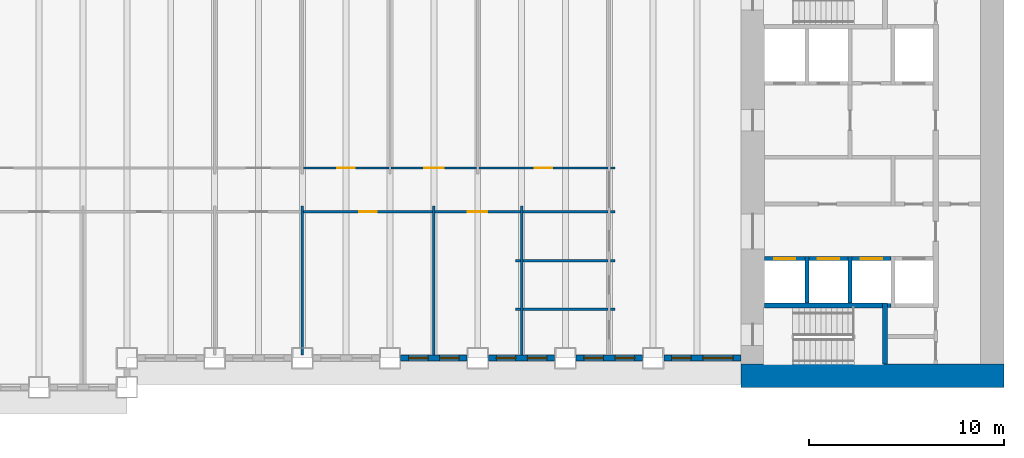
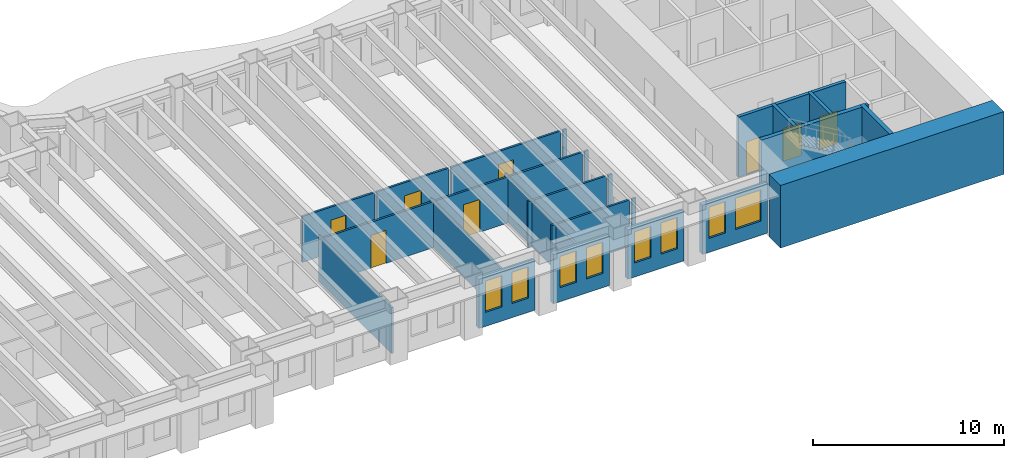
# One storey, part 5 of 16: 30 walls, 8 doors, 8 windows, 16 openings.
"""IFC4 building model written with IfcOpenShell, lengths in metres."""

from ifc_helpers import new_model, si_unit, direction, frame, frame_2d, origin, place, context, subcontext, project, spatial, rectangle, extrude, material, layer, layer_set, type_object, element, fill, save


model = new_model("IFC4")

# Units and contexts
model_context = context("Model", 3, precision=1e-05, world=origin(), true_north=direction((0.0, 1.0)))
body_context = subcontext(model_context, "Body", "Model", "MODEL_VIEW")
ifc_project = project(units=[si_unit("LENGTHUNIT", "METRE"), si_unit("AREAUNIT", "SQUARE_METRE"), si_unit("VOLUMEUNIT", "CUBIC_METRE"), si_unit("PLANEANGLEUNIT", "RADIAN"), si_unit("MASSUNIT", "GRAM", prefix="KILO")], contexts=[model_context])

# Site, building, storey
site_placement = place(None, origin())
site = spatial("IfcSite", under=ifc_project, at=site_placement, CompositionType="ELEMENT")
building_placement = place(site_placement, origin())
building = spatial("IfcBuilding", under=site, at=building_placement, Name="Sennacour Bend Tower", CompositionType="ELEMENT")
storey_placement = place(building_placement, frame((0.0, 0.0, 69.0)))
storey = spatial("IfcBuildingStorey", under=building, at=storey_placement, Name="L15", CompositionType="ELEMENT", Elevation=69.0)

# Walls
ifc_material_1 = material(Name="Concrete C80/95", Category="concrete")
ifc_layer_1 = layer(ifc_material_1, 1.199951171875, Name="Concrete C80/95", Category="concrete")
ifc_layer_set_1 = layer_set([ifc_layer_1], Name="Concrete C80/95")
wall_type_1 = type_object("IfcWallType", Name="Core wall 1200 C80/95", PredefinedType="SHEAR", material=ifc_layer_set_1)
wall_1_placement = place(storey_placement, frame((67.5, 0.60009765625, -0.14990234375), z_axis=(0.0, 0.0, 1.0), x_axis=(-1.0, 0.0, 0.0)))
element("IfcWall", 1, at=wall_1_placement, inside=storey, type_object=wall_type_1, Name="Core A wall L15 S", PredefinedType="SHEAR", context=body_context, shape_type="SweptSolid", body=[
    extrude(rectangle(XDim=13.5, YDim=1.199951171875, at=frame_2d((6.75, 0.0))), origin(), (0.0, 0.0, 1.0), 4.0),
])
ifc_material_2 = material(Name="Plasterboard partition on steel studs", Category="steel")
ifc_layer_2 = layer(ifc_material_2, 0.1201171875, Name="Plasterboard partition on steel studs", Category="steel")
ifc_layer_set_2 = layer_set([ifc_layer_2], Name="Plasterboard partition on steel studs")
wall_type_2 = type_object("IfcWallType", Name="Partition 120", PredefinedType="PARTITIONING", material=ifc_layer_set_2)
for number, where, z_axis, x_axis, name in (
    (2, (31.5, 1.64990234375, 0.0), (0.0, 0.0, 1.0), (0.0, 1.0, 0.0), "P-L15-W028a"),
    (3, (38.25, 1.64990234375, 0.0), (0.0, 0.0, 1.0), (0.0, 1.0, 0.0), "P-L15-W031a"),
    (4, (42.75, 1.64990234375, 0.0), (0.0, 0.0, 1.0), (0.0, 1.0, 0.0), "P-L15-W033a"),
):
    element("IfcWall", number, at=place(storey_placement, frame(where, z_axis=z_axis, x_axis=x_axis)), inside=storey, type_object=wall_type_2, Name=name, PredefinedType="PARTITIONING", context=body_context, shape_type="SweptSolid", body=[
        extrude(rectangle(XDim=7.650146484375, YDim=0.1201171875, at=frame_2d((3.8251953125, 0.0))), origin(), (0.0, 0.0, 1.0), 2.93798828125),
    ])
wall_2_placement = place(storey_placement, frame((42.449951171875, 4.0, 0.0), z_axis=(0.0, 0.0, 1.0), x_axis=(1.0, 0.0, 0.0)))
element("IfcWall", 5, at=wall_2_placement, inside=storey, type_object=wall_type_2, Name="P-L15-W056aa", PredefinedType="PARTITIONING", context=body_context, shape_type="SweptSolid", body=[
    extrude(rectangle(XDim=0.239990234375, YDim=0.1201171875, at=frame_2d((0.1201171875, 0.0))), origin(), (0.0, 0.0, 1.0), 2.93798828125),
])
wall_3_placement = place(storey_placement, frame((42.81005859375, 4.0, 0.0), z_axis=(0.0, 0.0, 1.0), x_axis=(1.0, 0.0, 0.0)))
element("IfcWall", 6, at=wall_3_placement, inside=storey, type_object=wall_type_2, Name="P-L15-W056ab", PredefinedType="PARTITIONING", context=body_context, shape_type="SweptSolid", body=[
    extrude(rectangle(XDim=4.3798828125, YDim=0.1201171875, at=frame_2d((2.18994140625, 0.0))), origin(), (0.0, 0.0, 1.0), 2.93798828125),
])
for number, where, z_axis, x_axis, name in (
    (7, (47.31005859375, 4.0, 0.0), (0.0, 0.0, 1.0), (1.0, 0.0, 0.0), "P-L15-W056ac"),
    (8, (42.449951171875, 6.5, 0.0), (0.0, 0.0, 1.0), (1.0, 0.0, 0.0), "P-L15-W059aa"),
):
    element("IfcWall", number, at=place(storey_placement, frame(where, z_axis=z_axis, x_axis=x_axis)), inside=storey, type_object=wall_type_2, Name=name, PredefinedType="PARTITIONING", context=body_context, shape_type="SweptSolid", body=[
        extrude(rectangle(XDim=0.239990234375, YDim=0.1201171875, at=frame_2d((0.1201171875, 0.0))), origin(), (0.0, 0.0, 1.0), 2.93798828125),
    ])
wall_4_placement = place(storey_placement, frame((42.81005859375, 6.5, 0.0), z_axis=(0.0, 0.0, 1.0), x_axis=(1.0, 0.0, 0.0)))
element("IfcWall", 9, at=wall_4_placement, inside=storey, type_object=wall_type_2, Name="P-L15-W059ab", PredefinedType="PARTITIONING", context=body_context, shape_type="SweptSolid", body=[
    extrude(rectangle(XDim=4.3798828125, YDim=0.1201171875, at=frame_2d((2.18994140625, 0.0))), origin(), (0.0, 0.0, 1.0), 2.93798828125),
])
wall_5_placement = place(storey_placement, frame((47.31005859375, 6.5, 0.0), z_axis=(0.0, 0.0, 1.0), x_axis=(1.0, 0.0, 0.0)))
element("IfcWall", 10, at=wall_5_placement, inside=storey, type_object=wall_type_2, Name="P-L15-W059ac", PredefinedType="PARTITIONING", context=body_context, shape_type="SweptSolid", body=[
    extrude(rectangle(XDim=0.239990234375, YDim=0.1201171875, at=frame_2d((0.1201171875, 0.0))), origin(), (0.0, 0.0, 1.0), 2.93798828125),
])

# Wall, opening, door
wall_6_placement = place(storey_placement, frame((38.31005859375, 9.0, 0.0), z_axis=(0.0, 0.0, 1.0), x_axis=(1.0, 0.0, 0.0)))
wall_6 = element("IfcWall", 11, at=wall_6_placement, inside=storey, type_object=wall_type_2, Name="P-L15-W061ag", PredefinedType="PARTITIONING", context=body_context, shape_type="SweptSolid", body=[
    extrude(rectangle(XDim=4.3798828125, YDim=0.1201171875, at=frame_2d((2.18994140625, 0.0))), origin(), (0.0, 0.0, 1.0), 2.93798828125),
])
opening_1_placement = place(wall_6_placement, frame((1.68994140625, 0.0, 0.0)))
opening_1 = element("IfcOpeningElement", 12, at=opening_1_placement, cuts=wall_6, Name="Opening OD2", PredefinedType="OPENING", context=body_context, shape_type="SweptSolid", body=[
    extrude(rectangle(XDim=1.0, YDim=2.10009765625, at=frame_2d((0.5, 1.050048828125))), frame((0.0, 0.070068359375, 0.0), z_axis=(0.0, -1.0, 0.0), x_axis=(1.0, 0.0, 0.0)), (0.0, 0.0, 1.0), 0.14013671875),
])
ifc_material_3 = material(Name="Timber", Category="wood")
door_type_1 = type_object("IfcDoorType", Name="DR-OFFICE-1000", OperationType="NOTDEFINED", PredefinedType="DOOR", material=ifc_material_3)
door_1_placement = place(opening_1_placement, origin())
door_1 = element("IfcDoor", 13, at=door_1_placement, inside=storey, type_object=door_type_1, Name="Door", OperationType="SINGLE_SWING_LEFT", OverallHeight=2.10009765625, OverallWidth=1.0, PredefinedType="DOOR", context=body_context, shape_type="SweptSolid", body=[
    extrude(rectangle(XDim=1.0, YDim=2.10009765625, at=frame_2d((0.5, 1.050048828125))), frame((0.0, 0.02490234375, 0.0), z_axis=(0.0, -1.0, 0.0), x_axis=(1.0, 0.0, 0.0)), (0.0, 0.0, 1.0), 0.050048828125),
])
fill(opening_1, door_1)

# Walls
wall_7_placement = place(storey_placement, frame((42.81005859375, 9.0, 0.0), z_axis=(0.0, 0.0, 1.0), x_axis=(1.0, 0.0, 0.0)))
element("IfcWall", 14, at=wall_7_placement, inside=storey, type_object=wall_type_2, Name="P-L15-W061ah", PredefinedType="PARTITIONING", context=body_context, shape_type="SweptSolid", body=[
    extrude(rectangle(XDim=4.3798828125, YDim=0.1201171875, at=frame_2d((2.18994140625, 0.0))), origin(), (0.0, 0.0, 1.0), 2.93798828125),
])
wall_8_placement = place(storey_placement, frame((47.31005859375, 9.0, 0.0), z_axis=(0.0, 0.0, 1.0), x_axis=(1.0, 0.0, 0.0)))
element("IfcWall", 15, at=wall_8_placement, inside=storey, type_object=wall_type_2, Name="P-L15-W061ai", PredefinedType="PARTITIONING", context=body_context, shape_type="SweptSolid", body=[
    extrude(rectangle(XDim=0.239990234375, YDim=0.1201171875, at=frame_2d((0.1201171875, 0.0))), origin(), (0.0, 0.0, 1.0), 2.93798828125),
])

# Wall, opening, door
wall_9_placement = place(storey_placement, frame((36.06005859375, 11.25, 0.0), z_axis=(0.0, 0.0, 1.0), x_axis=(1.0, 0.0, 0.0)))
wall_9 = element("IfcWall", 16, at=wall_9_placement, inside=storey, type_object=wall_type_2, Name="P-L15-W063af", PredefinedType="PARTITIONING", context=body_context, shape_type="SweptSolid", body=[
    extrude(rectangle(XDim=4.3798828125, YDim=0.1201171875, at=frame_2d((2.18994140625, 0.0))), origin(), (0.0, 0.0, 1.0), 2.93798828125),
])
opening_2_placement = place(wall_9_placement, frame((1.68994140625, 0.0, 0.0)))
opening_2 = element("IfcOpeningElement", 17, at=opening_2_placement, cuts=wall_9, Name="Opening OD2", PredefinedType="OPENING", context=body_context, shape_type="SweptSolid", body=[
    extrude(rectangle(XDim=1.0, YDim=2.10009765625, at=frame_2d((0.5, 1.050048828125))), frame((0.0, 0.070068359375, 0.0), z_axis=(0.0, -1.0, 0.0), x_axis=(1.0, 0.0, 0.0)), (0.0, 0.0, 1.0), 0.14013671875),
])
door_2_placement = place(opening_2_placement, origin())
door_2 = element("IfcDoor", 18, at=door_2_placement, inside=storey, type_object=door_type_1, Name="Door", OperationType="SINGLE_SWING_LEFT", OverallHeight=2.10009765625, OverallWidth=1.0, PredefinedType="DOOR", context=body_context, shape_type="SweptSolid", body=[
    extrude(rectangle(XDim=1.0, YDim=2.10009765625, at=frame_2d((0.5, 1.050048828125))), frame((0.0, 0.02490234375, 0.0), z_axis=(0.0, -1.0, 0.0), x_axis=(1.0, 0.0, 0.0)), (0.0, 0.0, 1.0), 0.050048828125),
])
fill(opening_2, door_2)

# Wall
wall_10_placement = place(storey_placement, frame((47.31005859375, 11.25, 0.0), z_axis=(0.0, 0.0, 1.0), x_axis=(1.0, 0.0, 0.0)))
element("IfcWall", 19, at=wall_10_placement, inside=storey, type_object=wall_type_2, Name="P-L15-W063ah", PredefinedType="PARTITIONING", context=body_context, shape_type="SweptSolid", body=[
    extrude(rectangle(XDim=0.239990234375, YDim=0.1201171875, at=frame_2d((0.1201171875, 0.0))), origin(), (0.0, 0.0, 1.0), 2.93798828125),
])

# Wall, opening, door
ifc_layer_3 = layer(ifc_material_2, 0.1201171875, Name="Plasterboard partition on steel studs", Category="steel")
ifc_layer_set_3 = layer_set([ifc_layer_3], Name="Plasterboard partition on steel studs")
wall_type_3 = type_object("IfcWallType", Name="Partition 120 EI 60", PredefinedType="PARTITIONING", material=ifc_layer_set_3)
wall_11_placement = place(storey_placement, frame((31.56005859375, 9.0, 0.0), z_axis=(0.0, 0.0, 1.0), x_axis=(1.0, 0.0, 0.0)))
wall_11 = element("IfcWall", 20, at=wall_11_placement, inside=storey, type_object=wall_type_3, Name="P-L15-W061af", PredefinedType="PARTITIONING", context=body_context, shape_type="SweptSolid", body=[
    extrude(rectangle(XDim=6.6298828125, YDim=0.1201171875, at=frame_2d((3.31494140625, 0.0))), origin(), (0.0, 0.0, 1.0), 2.93798828125),
])
opening_3_placement = place(wall_11_placement, frame((2.864990234375, 0.0, 0.0)))
opening_3 = element("IfcOpeningElement", 21, at=opening_3_placement, cuts=wall_11, Name="Opening SV", PredefinedType="OPENING", context=body_context, shape_type="SweptSolid", body=[
    extrude(rectangle(XDim=0.89990234375, YDim=2.10009765625, at=frame_2d((0.449951171875, 1.050048828125))), frame((0.0, 0.070068359375, 0.0), z_axis=(0.0, -1.0, 0.0), x_axis=(1.0, 0.0, 0.0)), (0.0, 0.0, 1.0), 0.14013671875),
])
ifc_material_4 = material(Name="Painted steel", Category="steel")
door_type_2 = type_object("IfcDoorType", Name="DR-SERVICE-900", OperationType="NOTDEFINED", PredefinedType="DOOR", material=ifc_material_4)
door_3_placement = place(opening_3_placement, origin())
door_3 = element("IfcDoor", 22, at=door_3_placement, inside=storey, type_object=door_type_2, Name="Door", OperationType="SINGLE_SWING_LEFT", OverallHeight=2.10009765625, OverallWidth=0.89990234375, PredefinedType="DOOR", context=body_context, shape_type="SweptSolid", body=[
    extrude(rectangle(XDim=0.89990234375, YDim=2.10009765625, at=frame_2d((0.449951171875, 1.050048828125))), frame((0.0, 0.02490234375, 0.0), z_axis=(0.0, -1.0, 0.0), x_axis=(1.0, 0.0, 0.0)), (0.0, 0.0, 1.0), 0.050048828125),
])
fill(opening_3, door_3)

wall_12_placement = place(storey_placement, frame((31.56005859375, 11.25, 0.0), z_axis=(0.0, 0.0, 1.0), x_axis=(1.0, 0.0, 0.0)))
wall_12 = element("IfcWall", 23, at=wall_12_placement, inside=storey, type_object=wall_type_3, Name="P-L15-W063ae", PredefinedType="PARTITIONING", context=body_context, shape_type="SweptSolid", body=[
    extrude(rectangle(XDim=4.3798828125, YDim=0.1201171875, at=frame_2d((2.18994140625, 0.0))), origin(), (0.0, 0.0, 1.0), 2.93798828125),
])
opening_4_placement = place(wall_12_placement, frame((1.739990234375, 0.0, 0.0)))
opening_4 = element("IfcOpeningElement", 24, at=opening_4_placement, cuts=wall_12, Name="Opening SV", PredefinedType="OPENING", context=body_context, shape_type="SweptSolid", body=[
    extrude(rectangle(XDim=0.89990234375, YDim=2.10009765625, at=frame_2d((0.449951171875, 1.050048828125))), frame((0.0, 0.070068359375, 0.0), z_axis=(0.0, -1.0, 0.0), x_axis=(1.0, 0.0, 0.0)), (0.0, 0.0, 1.0), 0.14013671875),
])
door_4_placement = place(opening_4_placement, origin())
door_4 = element("IfcDoor", 25, at=door_4_placement, inside=storey, type_object=door_type_2, Name="Door", OperationType="SINGLE_SWING_LEFT", OverallHeight=2.10009765625, OverallWidth=0.89990234375, PredefinedType="DOOR", context=body_context, shape_type="SweptSolid", body=[
    extrude(rectangle(XDim=0.89990234375, YDim=2.10009765625, at=frame_2d((0.449951171875, 1.050048828125))), frame((0.0, 0.02490234375, 0.0), z_axis=(0.0, -1.0, 0.0), x_axis=(1.0, 0.0, 0.0)), (0.0, 0.0, 1.0), 0.050048828125),
])
fill(opening_4, door_4)

wall_13_placement = place(storey_placement, frame((40.56005859375, 11.25, 0.0), z_axis=(0.0, 0.0, 1.0), x_axis=(1.0, 0.0, 0.0)))
wall_13 = element("IfcWall", 26, at=wall_13_placement, inside=storey, type_object=wall_type_3, Name="P-L15-W063ag", PredefinedType="PARTITIONING", context=body_context, shape_type="SweptSolid", body=[
    extrude(rectangle(XDim=6.6298828125, YDim=0.1201171875, at=frame_2d((3.31494140625, 0.0))), origin(), (0.0, 0.0, 1.0), 2.93798828125),
])
opening_5_placement = place(wall_13_placement, frame((2.864990234375, 0.0, 0.0)))
opening_5 = element("IfcOpeningElement", 27, at=opening_5_placement, cuts=wall_13, Name="Opening SV", PredefinedType="OPENING", context=body_context, shape_type="SweptSolid", body=[
    extrude(rectangle(XDim=0.89990234375, YDim=2.10009765625, at=frame_2d((0.449951171875, 1.050048828125))), frame((0.0, 0.070068359375, 0.0), z_axis=(0.0, -1.0, 0.0), x_axis=(1.0, 0.0, 0.0)), (0.0, 0.0, 1.0), 0.14013671875),
])
door_5_placement = place(opening_5_placement, origin())
door_5 = element("IfcDoor", 28, at=door_5_placement, inside=storey, type_object=door_type_2, Name="Door", OperationType="SINGLE_SWING_LEFT", OverallHeight=2.10009765625, OverallWidth=0.89990234375, PredefinedType="DOOR", context=body_context, shape_type="SweptSolid", body=[
    extrude(rectangle(XDim=0.89990234375, YDim=2.10009765625, at=frame_2d((0.449951171875, 1.050048828125))), frame((0.0, 0.02490234375, 0.0), z_axis=(0.0, -1.0, 0.0), x_axis=(1.0, 0.0, 0.0)), (0.0, 0.0, 1.0), 0.050048828125),
])
fill(opening_5, door_5)

# Wall, openings, windows
ifc_material_5 = material(Name="Warm limestone cladding", Category="masonry")
ifc_layer_4 = layer(ifc_material_5, 0.050048828125, Name="Warm limestone cladding", Category="masonry")
ifc_material_6 = material(Name="Precast concrete C40/50", Category="concrete")
ifc_layer_5 = layer(ifc_material_6, 0.25, Name="Precast concrete C40/50", Category="concrete")
ifc_layer_set_4 = layer_set([ifc_layer_4, ifc_layer_5], Name="Precast concrete C40/50 with limestone cladding")
wall_type_4 = type_object("IfcWallType", Name="STONE-CLAD PRECAST SPANDREL 300", PredefinedType="STANDARD", material=ifc_layer_set_4)
wall_14_placement = place(storey_placement, frame((36.550048828125, 1.5, 0.0), z_axis=(0.0, 0.0, 1.0), x_axis=(1.0, 0.0, 0.0)))
wall_14 = element("IfcWall", 29, at=wall_14_placement, inside=storey, type_object=wall_type_4, Name="Stone spandrel and pier wall L15 02.03", PredefinedType="STANDARD", context=body_context, shape_type="SweptSolid", body=[
    extrude(rectangle(XDim=3.39990234375, YDim=0.300048828125, at=frame_2d((1.699951171875, 0.0))), origin(), (0.0, 0.0, 1.0), 3.14404296875),
])
opening_6_placement = place(wall_14_placement, frame((0.39990234375, 0.0, 0.89990234375)))
opening_6 = element("IfcOpeningElement", 30, at=opening_6_placement, cuts=wall_14, Name="Opening W8", PredefinedType="OPENING", context=body_context, shape_type="SweptSolid", body=[
    extrude(rectangle(XDim=1.0, YDim=2.0, at=frame_2d((0.5, 1.0))), frame((0.0, 0.16015625, 0.0), z_axis=(0.0, -1.0, 0.0), x_axis=(1.0, 0.0, 0.0)), (0.0, 0.0, 1.0), 0.320068359375),
])
opening_7_placement = place(wall_14_placement, frame((2.0, 0.0, 0.89990234375)))
opening_7 = element("IfcOpeningElement", 31, at=opening_7_placement, cuts=wall_14, Name="Opening W8", PredefinedType="OPENING", context=body_context, shape_type="SweptSolid", body=[
    extrude(rectangle(XDim=1.0, YDim=2.0, at=frame_2d((0.5, 1.0))), frame((0.0, 0.16015625, 0.0), z_axis=(0.0, -1.0, 0.0), x_axis=(1.0, 0.0, 0.0)), (0.0, 0.0, 1.0), 0.320068359375),
])
ifc_material_7 = material(Name="Clear low-emissivity glass", Category="glass")
window_type_1 = type_object("IfcWindowType", Name="WIN-RIBBON-1000x2000", PartitioningType="SINGLE_PANEL", PredefinedType="WINDOW", material=ifc_material_7)
window_1_placement = place(opening_6_placement, origin())
window_1 = element("IfcWindow", 32, at=window_1_placement, inside=storey, type_object=window_type_1, Name="Ribbon window L15 02.03.0", OverallHeight=2.0, OverallWidth=1.0, PartitioningType="SINGLE_PANEL", PredefinedType="WINDOW", context=body_context, shape_type="SweptSolid", body=[
    extrude(rectangle(XDim=1.0, YDim=2.0, at=frame_2d((0.5, 1.0))), frame((0.0, 0.030029296875, 0.0), z_axis=(0.0, -1.0, 0.0), x_axis=(1.0, 0.0, 0.0)), (0.0, 0.0, 1.0), 0.06005859375),
])
fill(opening_6, window_1)
window_2_placement = place(opening_7_placement, origin())
window_2 = element("IfcWindow", 33, at=window_2_placement, inside=storey, type_object=window_type_1, Name="Ribbon window L15 02.03.1", OverallHeight=2.0, OverallWidth=1.0, PartitioningType="SINGLE_PANEL", PredefinedType="WINDOW", context=body_context, shape_type="SweptSolid", body=[
    extrude(rectangle(XDim=1.0, YDim=2.0, at=frame_2d((0.5, 1.0))), frame((0.0, 0.030029296875, 0.0), z_axis=(0.0, -1.0, 0.0), x_axis=(1.0, 0.0, 0.0)), (0.0, 0.0, 1.0), 0.06005859375),
])
fill(opening_7, window_2)

wall_15_placement = place(storey_placement, frame((41.050048828125, 1.5, 0.0), z_axis=(0.0, 0.0, 1.0), x_axis=(1.0, 0.0, 0.0)))
wall_15 = element("IfcWall", 34, at=wall_15_placement, inside=storey, type_object=wall_type_4, Name="Stone spandrel and pier wall L15 02.04", PredefinedType="STANDARD", context=body_context, shape_type="SweptSolid", body=[
    extrude(rectangle(XDim=3.39990234375, YDim=0.300048828125, at=frame_2d((1.699951171875, 0.0))), origin(), (0.0, 0.0, 1.0), 3.14404296875),
])
opening_8_placement = place(wall_15_placement, frame((0.39990234375, 0.0, 0.89990234375)))
opening_8 = element("IfcOpeningElement", 35, at=opening_8_placement, cuts=wall_15, Name="Opening W8", PredefinedType="OPENING", context=body_context, shape_type="SweptSolid", body=[
    extrude(rectangle(XDim=1.0, YDim=2.0, at=frame_2d((0.5, 1.0))), frame((0.0, 0.16015625, 0.0), z_axis=(0.0, -1.0, 0.0), x_axis=(1.0, 0.0, 0.0)), (0.0, 0.0, 1.0), 0.320068359375),
])
opening_9_placement = place(wall_15_placement, frame((2.0, 0.0, 0.89990234375)))
opening_9 = element("IfcOpeningElement", 36, at=opening_9_placement, cuts=wall_15, Name="Opening W8", PredefinedType="OPENING", context=body_context, shape_type="SweptSolid", body=[
    extrude(rectangle(XDim=1.0, YDim=2.0, at=frame_2d((0.5, 1.0))), frame((0.0, 0.16015625, 0.0), z_axis=(0.0, -1.0, 0.0), x_axis=(1.0, 0.0, 0.0)), (0.0, 0.0, 1.0), 0.320068359375),
])
window_3_placement = place(opening_8_placement, origin())
window_3 = element("IfcWindow", 37, at=window_3_placement, inside=storey, type_object=window_type_1, Name="Ribbon window L15 02.04.0", OverallHeight=2.0, OverallWidth=1.0, PartitioningType="SINGLE_PANEL", PredefinedType="WINDOW", context=body_context, shape_type="SweptSolid", body=[
    extrude(rectangle(XDim=1.0, YDim=2.0, at=frame_2d((0.5, 1.0))), frame((0.0, 0.030029296875, 0.0), z_axis=(0.0, -1.0, 0.0), x_axis=(1.0, 0.0, 0.0)), (0.0, 0.0, 1.0), 0.06005859375),
])
fill(opening_8, window_3)
window_4_placement = place(opening_9_placement, origin())
window_4 = element("IfcWindow", 38, at=window_4_placement, inside=storey, type_object=window_type_1, Name="Ribbon window L15 02.04.1", OverallHeight=2.0, OverallWidth=1.0, PartitioningType="SINGLE_PANEL", PredefinedType="WINDOW", context=body_context, shape_type="SweptSolid", body=[
    extrude(rectangle(XDim=1.0, YDim=2.0, at=frame_2d((0.5, 1.0))), frame((0.0, 0.030029296875, 0.0), z_axis=(0.0, -1.0, 0.0), x_axis=(1.0, 0.0, 0.0)), (0.0, 0.0, 1.0), 0.06005859375),
])
fill(opening_9, window_4)

wall_16_placement = place(storey_placement, frame((45.550048828125, 1.5, 0.0), z_axis=(0.0, 0.0, 1.0), x_axis=(1.0, 0.0, 0.0)))
wall_16 = element("IfcWall", 39, at=wall_16_placement, inside=storey, type_object=wall_type_4, Name="Stone spandrel and pier wall L15 02.05", PredefinedType="STANDARD", context=body_context, shape_type="SweptSolid", body=[
    extrude(rectangle(XDim=3.39990234375, YDim=0.300048828125, at=frame_2d((1.699951171875, 0.0))), origin(), (0.0, 0.0, 1.0), 3.14404296875),
])
opening_10_placement = place(wall_16_placement, frame((0.39990234375, 0.0, 0.89990234375)))
opening_10 = element("IfcOpeningElement", 40, at=opening_10_placement, cuts=wall_16, Name="Opening W8", PredefinedType="OPENING", context=body_context, shape_type="SweptSolid", body=[
    extrude(rectangle(XDim=1.0, YDim=2.0, at=frame_2d((0.5, 1.0))), frame((0.0, 0.16015625, 0.0), z_axis=(0.0, -1.0, 0.0), x_axis=(1.0, 0.0, 0.0)), (0.0, 0.0, 1.0), 0.320068359375),
])
opening_11_placement = place(wall_16_placement, frame((2.0, 0.0, 0.89990234375)))
opening_11 = element("IfcOpeningElement", 41, at=opening_11_placement, cuts=wall_16, Name="Opening W8", PredefinedType="OPENING", context=body_context, shape_type="SweptSolid", body=[
    extrude(rectangle(XDim=1.0, YDim=2.0, at=frame_2d((0.5, 1.0))), frame((0.0, 0.16015625, 0.0), z_axis=(0.0, -1.0, 0.0), x_axis=(1.0, 0.0, 0.0)), (0.0, 0.0, 1.0), 0.320068359375),
])
window_5_placement = place(opening_10_placement, origin())
window_5 = element("IfcWindow", 42, at=window_5_placement, inside=storey, type_object=window_type_1, Name="Ribbon window L15 02.05.0", OverallHeight=2.0, OverallWidth=1.0, PartitioningType="SINGLE_PANEL", PredefinedType="WINDOW", context=body_context, shape_type="SweptSolid", body=[
    extrude(rectangle(XDim=1.0, YDim=2.0, at=frame_2d((0.5, 1.0))), frame((0.0, 0.030029296875, 0.0), z_axis=(0.0, -1.0, 0.0), x_axis=(1.0, 0.0, 0.0)), (0.0, 0.0, 1.0), 0.06005859375),
])
fill(opening_10, window_5)
window_6_placement = place(opening_11_placement, origin())
window_6 = element("IfcWindow", 43, at=window_6_placement, inside=storey, type_object=window_type_1, Name="Ribbon window L15 02.05.1", OverallHeight=2.0, OverallWidth=1.0, PartitioningType="SINGLE_PANEL", PredefinedType="WINDOW", context=body_context, shape_type="SweptSolid", body=[
    extrude(rectangle(XDim=1.0, YDim=2.0, at=frame_2d((0.5, 1.0))), frame((0.0, 0.030029296875, 0.0), z_axis=(0.0, -1.0, 0.0), x_axis=(1.0, 0.0, 0.0)), (0.0, 0.0, 1.0), 0.06005859375),
])
fill(opening_11, window_6)

wall_17_placement = place(storey_placement, frame((50.050048828125, 1.5, 0.0), z_axis=(0.0, 0.0, 1.0), x_axis=(1.0, 0.0, 0.0)))
wall_17 = element("IfcWall", 44, at=wall_17_placement, inside=storey, type_object=wall_type_4, Name="Stone spandrel and pier wall L15 02.06", PredefinedType="STANDARD", context=body_context, shape_type="SweptSolid", body=[
    extrude(rectangle(XDim=3.949951171875, YDim=0.300048828125, at=frame_2d((1.97509765625, 0.0))), origin(), (0.0, 0.0, 1.0), 3.14404296875),
])
opening_12_placement = place(wall_17_placement, frame((0.39990234375, 0.0, 0.89990234375)))
opening_12 = element("IfcOpeningElement", 45, at=opening_12_placement, cuts=wall_17, Name="Opening W8", PredefinedType="OPENING", context=body_context, shape_type="SweptSolid", body=[
    extrude(rectangle(XDim=1.0, YDim=2.0, at=frame_2d((0.5, 1.0))), frame((0.0, 0.16015625, 0.0), z_axis=(0.0, -1.0, 0.0), x_axis=(1.0, 0.0, 0.0)), (0.0, 0.0, 1.0), 0.320068359375),
])
opening_13_placement = place(wall_17_placement, frame((2.0, 0.0, 0.89990234375)))
opening_13 = element("IfcOpeningElement", 46, at=opening_13_placement, cuts=wall_17, Name="Opening W9", PredefinedType="OPENING", context=body_context, shape_type="SweptSolid", body=[
    extrude(rectangle(XDim=1.550048828125, YDim=2.0, at=frame_2d((0.77490234375, 1.0))), frame((0.0, 0.16015625, 0.0), z_axis=(0.0, -1.0, 0.0), x_axis=(1.0, 0.0, 0.0)), (0.0, 0.0, 1.0), 0.320068359375),
])
window_7_placement = place(opening_12_placement, origin())
window_7 = element("IfcWindow", 47, at=window_7_placement, inside=storey, type_object=window_type_1, Name="Ribbon window L15 02.06.0", OverallHeight=2.0, OverallWidth=1.0, PartitioningType="SINGLE_PANEL", PredefinedType="WINDOW", context=body_context, shape_type="SweptSolid", body=[
    extrude(rectangle(XDim=1.0, YDim=2.0, at=frame_2d((0.5, 1.0))), frame((0.0, 0.030029296875, 0.0), z_axis=(0.0, -1.0, 0.0), x_axis=(1.0, 0.0, 0.0)), (0.0, 0.0, 1.0), 0.06005859375),
])
fill(opening_12, window_7)
window_type_2 = type_object("IfcWindowType", Name="WIN-RIBBON-1550x2000", PartitioningType="SINGLE_PANEL", PredefinedType="WINDOW", material=ifc_material_7)
window_8_placement = place(opening_13_placement, origin())
window_8 = element("IfcWindow", 48, at=window_8_placement, inside=storey, type_object=window_type_2, Name="Ribbon window L15 02.06.1", OverallHeight=2.0, OverallWidth=1.550048828125, PartitioningType="SINGLE_PANEL", PredefinedType="WINDOW", context=body_context, shape_type="SweptSolid", body=[
    extrude(rectangle(XDim=1.550048828125, YDim=2.0, at=frame_2d((0.77490234375, 1.0))), frame((0.0, 0.030029296875, 0.0), z_axis=(0.0, -1.0, 0.0), x_axis=(1.0, 0.0, 0.0)), (0.0, 0.0, 1.0), 0.06005859375),
])
fill(opening_13, window_8)

# Walls
ifc_material_8 = material(Name="Concrete C50/60", Category="concrete")
ifc_layer_6 = layer(ifc_material_8, 0.199951171875, Name="Concrete C50/60", Category="concrete")
ifc_layer_set_5 = layer_set([ifc_layer_6], Name="Concrete C50/60")
wall_type_5 = type_object("IfcWallType", Name="Shaft wall 200", PredefinedType="SOLIDWALL", material=ifc_layer_set_5)
for number, where, z_axis, x_axis, name in (
    (49, (57.39990234375, 4.324951171875, 0.0), (0.0, 0.0, 1.0), (0.0, 1.0, 0.0), "P-L15-W036"),
    (50, (59.60009765625, 4.324951171875, 0.0), (0.0, 0.0, 1.0), (0.0, 1.0, 0.0), "P-L15-W038"),
):
    element("IfcWall", number, at=place(storey_placement, frame(where, z_axis=z_axis, x_axis=x_axis)), inside=storey, type_object=wall_type_5, Name=name, PredefinedType="SOLIDWALL", context=body_context, shape_type="SweptSolid", body=[
        extrude(rectangle(XDim=2.375, YDim=0.199951171875, at=frame_2d((1.1875, 0.0))), origin(), (0.0, 0.0, 1.0), 3.85009765625),
    ])
wall_18_placement = place(storey_placement, frame((61.52490234375, 4.199951171875, 0.0), z_axis=(0.0, 0.0, 1.0), x_axis=(1.0, 0.0, 0.0)))
element("IfcWall", 51, at=wall_18_placement, inside=storey, type_object=wall_type_5, Name="P-L15-W058a", PredefinedType="SOLIDWALL", context=body_context, shape_type="SweptSolid", body=[
    extrude(rectangle(XDim=0.175048828125, YDim=0.199951171875, at=frame_2d((0.08740234375, 0.0))), origin(), (0.0, 0.0, 1.0), 3.85009765625),
])

# Wall, opening, door
wall_19_placement = place(storey_placement, frame((55.199951171875, 6.60009765625, 0.0), z_axis=(0.0, 0.0, 1.0), x_axis=(1.0, 0.0, 0.0)))
wall_19 = element("IfcWall", 52, at=wall_19_placement, inside=storey, type_object=wall_type_5, Name="P-L15-W060a", PredefinedType="SOLIDWALL", context=body_context, shape_type="SweptSolid", body=[
    extrude(rectangle(XDim=2.10009765625, YDim=0.199951171875, at=frame_2d((1.050048828125, 0.0))), origin(), (0.0, 0.0, 1.0), 3.85009765625),
])
opening_14_placement = place(wall_19_placement, frame((0.5, 0.0, 0.011962890625)))
opening_14 = element("IfcOpeningElement", 53, at=opening_14_placement, cuts=wall_19, Name="Opening LD", PredefinedType="OPENING", context=body_context, shape_type="SweptSolid", body=[
    extrude(rectangle(XDim=1.10009765625, YDim=2.10009765625, at=frame_2d((0.550048828125, 1.050048828125))), frame((0.0, 0.10986328125, 0.0), z_axis=(0.0, -1.0, 0.0), x_axis=(1.0, 0.0, 0.0)), (0.0, 0.0, 1.0), 0.219970703125),
])
ifc_material_9 = material(Name="Stainless steel", Category="steel")
door_type_3 = type_object("IfcDoorType", Name="DR-LANDING-1100", OperationType="NOTDEFINED", PredefinedType="DOOR", material=ifc_material_9)
door_6_placement = place(opening_14_placement, origin())
door_6 = element("IfcDoor", 54, at=door_6_placement, inside=storey, type_object=door_type_3, Name="Lift landing door LA1", OperationType="SLIDING_TO_LEFT", OverallHeight=2.10009765625, OverallWidth=1.10009765625, PredefinedType="DOOR", context=body_context, shape_type="SweptSolid", body=[
    extrude(rectangle(XDim=1.10009765625, YDim=2.10009765625, at=frame_2d((0.550048828125, 1.050048828125))), frame((0.0, 0.02490234375, 0.0), z_axis=(0.0, -1.0, 0.0), x_axis=(1.0, 0.0, 0.0)), (0.0, 0.0, 1.0), 0.050048828125),
])
fill(opening_14, door_6)

wall_20_placement = place(storey_placement, frame((57.5, 6.60009765625, 0.0), z_axis=(0.0, 0.0, 1.0), x_axis=(1.0, 0.0, 0.0)))
wall_20 = element("IfcWall", 55, at=wall_20_placement, inside=storey, type_object=wall_type_5, Name="P-L15-W060b", PredefinedType="SOLIDWALL", context=body_context, shape_type="SweptSolid", body=[
    extrude(rectangle(XDim=2.0, YDim=0.199951171875, at=frame_2d((1.0, 0.0))), origin(), (0.0, 0.0, 1.0), 3.85009765625),
])
opening_15_placement = place(wall_20_placement, frame((0.449951171875, 0.0, 0.011962890625)))
opening_15 = element("IfcOpeningElement", 56, at=opening_15_placement, cuts=wall_20, Name="Opening LD", PredefinedType="OPENING", context=body_context, shape_type="SweptSolid", body=[
    extrude(rectangle(XDim=1.10009765625, YDim=2.10009765625, at=frame_2d((0.550048828125, 1.050048828125))), frame((0.0, 0.10986328125, 0.0), z_axis=(0.0, -1.0, 0.0), x_axis=(1.0, 0.0, 0.0)), (0.0, 0.0, 1.0), 0.219970703125),
])
door_7_placement = place(opening_15_placement, origin())
door_7 = element("IfcDoor", 57, at=door_7_placement, inside=storey, type_object=door_type_3, Name="Lift landing door LA2", OperationType="SLIDING_TO_RIGHT", OverallHeight=2.10009765625, OverallWidth=1.10009765625, PredefinedType="DOOR", context=body_context, shape_type="SweptSolid", body=[
    extrude(rectangle(XDim=1.10009765625, YDim=2.10009765625, at=frame_2d((0.550048828125, 1.050048828125))), frame((0.0, 0.02490234375, 0.0), z_axis=(0.0, -1.0, 0.0), x_axis=(1.0, 0.0, 0.0)), (0.0, 0.0, 1.0), 0.050048828125),
])
fill(opening_15, door_7)

wall_21_placement = place(storey_placement, frame((59.699951171875, 6.60009765625, 0.0), z_axis=(0.0, 0.0, 1.0), x_axis=(1.0, 0.0, 0.0)))
wall_21 = element("IfcWall", 58, at=wall_21_placement, inside=storey, type_object=wall_type_5, Name="P-L15-W060c", PredefinedType="SOLIDWALL", context=body_context, shape_type="SweptSolid", body=[
    extrude(rectangle(XDim=2.0, YDim=0.199951171875, at=frame_2d((1.0, 0.0))), origin(), (0.0, 0.0, 1.0), 3.85009765625),
])
opening_16_placement = place(wall_21_placement, frame((0.449951171875, 0.0, 0.011962890625)))
opening_16 = element("IfcOpeningElement", 59, at=opening_16_placement, cuts=wall_21, Name="Opening LD", PredefinedType="OPENING", context=body_context, shape_type="SweptSolid", body=[
    extrude(rectangle(XDim=1.10009765625, YDim=2.10009765625, at=frame_2d((0.550048828125, 1.050048828125))), frame((0.0, 0.10986328125, 0.0), z_axis=(0.0, -1.0, 0.0), x_axis=(1.0, 0.0, 0.0)), (0.0, 0.0, 1.0), 0.219970703125),
])
door_8_placement = place(opening_16_placement, origin())
door_8 = element("IfcDoor", 60, at=door_8_placement, inside=storey, type_object=door_type_3, Name="Lift landing door LA3", OperationType="SLIDING_TO_LEFT", OverallHeight=2.10009765625, OverallWidth=1.10009765625, PredefinedType="DOOR", context=body_context, shape_type="SweptSolid", body=[
    extrude(rectangle(XDim=1.10009765625, YDim=2.10009765625, at=frame_2d((0.550048828125, 1.050048828125))), frame((0.0, 0.02490234375, 0.0), z_axis=(0.0, -1.0, 0.0), x_axis=(1.0, 0.0, 0.0)), (0.0, 0.0, 1.0), 0.050048828125),
])
fill(opening_16, door_8)

# Walls
ifc_material_10 = material(Name="Concrete C60/75", Category="concrete")
ifc_layer_7 = layer(ifc_material_10, 0.25, Name="Concrete C60/75", Category="concrete")
ifc_layer_set_6 = layer_set([ifc_layer_7], Name="Concrete C60/75")
wall_type_6 = type_object("IfcWallType", Name="Stair wall 250", PredefinedType="SHEAR", material=ifc_layer_set_6)
wall_22_placement = place(storey_placement, frame((61.39990234375, 1.199951171875, 0.0), z_axis=(0.0, 0.0, 1.0), x_axis=(0.0, 1.0, 0.0)))
element("IfcWall", 61, at=wall_22_placement, inside=storey, type_object=wall_type_6, Name="P-L15-W041", PredefinedType="SHEAR", context=body_context, shape_type="SweptSolid", body=[
    extrude(rectangle(XDim=3.125, YDim=0.25, at=frame_2d((1.5625, 0.0))), origin(), (0.0, 0.0, 1.0), 3.85009765625),
])
wall_23_placement = place(storey_placement, frame((55.199951171875, 4.199951171875, 0.0), z_axis=(0.0, 0.0, 1.0), x_axis=(1.0, 0.0, 0.0)))
element("IfcWall", 62, at=wall_23_placement, inside=storey, type_object=wall_type_6, Name="P-L15-W057", PredefinedType="SHEAR", context=body_context, shape_type="SweptSolid", body=[
    extrude(rectangle(XDim=6.074951171875, YDim=0.25, at=frame_2d((3.03759765625, 0.0))), origin(), (0.0, 0.0, 1.0), 3.85009765625),
])

save(model, "model.ifc")
